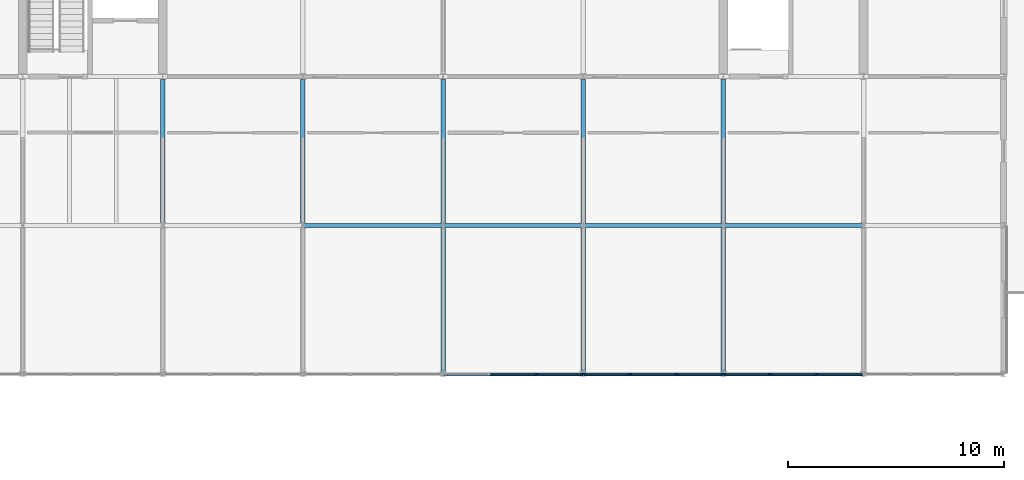
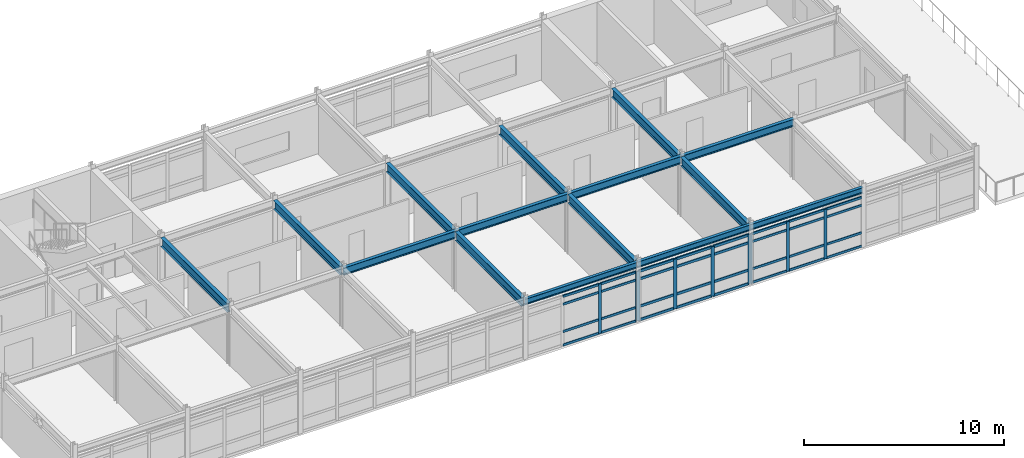
# One storey, part 25 of 57: 41 members, 15 beams, 3 elements without a shape of their own.
"""IFC4 building model written with IfcOpenShell, lengths in metres."""

from ifc_helpers import new_model, si_unit, direction, frame, origin, origin_2d, place, context, subcontext, project, spatial, rectangle, i_section, extrude, material, layer, layer_set, material_profile, profile_set, type_object, element, aggregate, save


model = new_model("IFC4")

# Units and contexts
model_context = context("Model", 3, precision=1e-05, world=origin(), true_north=direction((0.0, 1.0)))
body_context = subcontext(model_context, "Body", "Model", "MODEL_VIEW")
ifc_project = project(units=[si_unit("LENGTHUNIT", "METRE"), si_unit("AREAUNIT", "SQUARE_METRE"), si_unit("VOLUMEUNIT", "CUBIC_METRE"), si_unit("PLANEANGLEUNIT", "RADIAN"), si_unit("MASSUNIT", "GRAM", prefix="KILO")], contexts=[model_context])

# Site, building, storey
site_placement = place(None, origin())
site = spatial("IfcSite", under=ifc_project, at=site_placement, CompositionType="ELEMENT")
building_placement = place(site_placement, origin())
building = spatial("IfcBuilding", under=site, at=building_placement, Name="Trelmorton Wharf Fire Station", CompositionType="ELEMENT")
storey_placement = place(building_placement, frame((0.0, 0.0, 13.5)))
storey = spatial("IfcBuildingStorey", under=building, at=storey_placement, Name="L03", CompositionType="ELEMENT", Elevation=13.5)

# Beams
ifc_material_1 = material(Name="Steel Grade 350", Category="steel")
ifc_material_profile_1 = material_profile(ifc_material_1, i_section(OverallWidth=0.18994140625, OverallDepth=0.45703125, WebThickness=0.009033203125, FlangeThickness=0.014404296875, FilletRadius=0.011474609375, at=origin_2d()), Name="460UB74.6")
ifc_profile_set_1 = profile_set([ifc_material_profile_1], Name="Steel Grade 350")
beam_type_1 = type_object("IfcBeamType", Name="BM_460UB75", PredefinedType="BEAM", material=ifc_profile_set_1)
for number, where, z_axis, x_axis, name in (
    (1, (123.50390625, 67.199951171875, 3.401611328125), (1.0, 0.0, 0.0), (0.0, 1.0, 0.0), "BM-L03-0937"),
    (2, (130.00390625, 67.199951171875, 3.401611328125), (1.0, 0.0, 0.0), (0.0, 1.0, 0.0), "BM-L03-0938"),
    (3, (136.50390625, 67.199951171875, 3.401611328125), (1.0, 0.0, 0.0), (0.0, 1.0, 0.0), "BM-L03-0939"),
    (4, (143.00390625, 67.199951171875, 3.401611328125), (1.0, 0.0, 0.0), (0.0, 1.0, 0.0), "BM-L03-0940"),
):
    element("IfcBeam", number, at=place(storey_placement, frame(where, z_axis=z_axis, x_axis=x_axis)), inside=storey, type_object=beam_type_1, Name=name, PredefinedType="BEAM", context=body_context, shape_type="SweptSolid", body=[
        extrude(i_section(OverallWidth=0.18994140625, OverallDepth=0.45703125, WebThickness=0.009033203125, FlangeThickness=0.014404296875, FilletRadius=0.011474609375, at=origin_2d()), origin(), (0.0, 0.0, 1.0), 6.4921875),
    ])
ifc_material_profile_2 = material_profile(ifc_material_1, i_section(OverallWidth=0.208984375, OverallDepth=0.532958984375, WebThickness=0.01025390625, FlangeThickness=0.015625, FilletRadius=0.013916015625, at=origin_2d()), Name="530UB92.4")
ifc_profile_set_2 = profile_set([ifc_material_profile_2], Name="Steel Grade 350")
beam_type_2 = type_object("IfcBeamType", Name="BM_530UB92", PredefinedType="BEAM", material=ifc_profile_set_2)
for number, where, z_axis, x_axis, name in (
    (5, (117.0, 67.325927734375, 3.363525390625), (0.0, 1.0, 0.0), (-1.0, 0.0, 0.0), "BM-L03-0993"),
    (6, (123.5, 67.325927734375, 3.363525390625), (0.0, 1.0, 0.0), (-1.0, 0.0, 0.0), "BM-L03-0999"),
):
    element("IfcBeam", number, at=place(storey_placement, frame(where, z_axis=z_axis, x_axis=x_axis)), inside=storey, type_object=beam_type_2, Name=name, PredefinedType="BEAM", context=body_context, shape_type="SweptSolid", body=[
        extrude(i_section(OverallWidth=0.208984375, OverallDepth=0.532958984375, WebThickness=0.01025390625, FlangeThickness=0.015625, FilletRadius=0.013916015625, at=origin_2d()), origin(), (0.0, 0.0, 1.0), 6.648193359375),
    ])
beam_1_placement = place(storey_placement, frame((130.0, 60.426025390625, 3.363525390625), z_axis=(0.0, 1.0, 0.0), x_axis=(-1.0, 0.0, 0.0)))
element("IfcBeam", 7, at=beam_1_placement, inside=storey, type_object=beam_type_2, Name="BM-L03-1004", PredefinedType="BEAM", context=body_context, shape_type="SweptSolid", body=[
    extrude(i_section(OverallWidth=0.208984375, OverallDepth=0.532958984375, WebThickness=0.01025390625, FlangeThickness=0.015625, FilletRadius=0.013916015625, at=origin_2d()), origin(), (0.0, 0.0, 1.0), 6.64794921875),
])
beam_2_placement = place(storey_placement, frame((130.0, 67.325927734375, 3.363525390625), z_axis=(0.0, 1.0, 0.0), x_axis=(-1.0, 0.0, 0.0)))
element("IfcBeam", 8, at=beam_2_placement, inside=storey, type_object=beam_type_2, Name="BM-L03-1005", PredefinedType="BEAM", context=body_context, shape_type="SweptSolid", body=[
    extrude(i_section(OverallWidth=0.208984375, OverallDepth=0.532958984375, WebThickness=0.01025390625, FlangeThickness=0.015625, FilletRadius=0.013916015625, at=origin_2d()), origin(), (0.0, 0.0, 1.0), 6.648193359375),
])
beam_3_placement = place(storey_placement, frame((136.5, 60.426025390625, 3.363525390625), z_axis=(0.0, 1.0, 0.0), x_axis=(-1.0, 0.0, 0.0)))
element("IfcBeam", 9, at=beam_3_placement, inside=storey, type_object=beam_type_2, Name="BM-L03-1010", PredefinedType="BEAM", context=body_context, shape_type="SweptSolid", body=[
    extrude(i_section(OverallWidth=0.208984375, OverallDepth=0.532958984375, WebThickness=0.01025390625, FlangeThickness=0.015625, FilletRadius=0.013916015625, at=origin_2d()), origin(), (0.0, 0.0, 1.0), 6.64794921875),
])
beam_4_placement = place(storey_placement, frame((136.5, 67.325927734375, 3.363525390625), z_axis=(0.0, 1.0, 0.0), x_axis=(-1.0, 0.0, 0.0)))
element("IfcBeam", 10, at=beam_4_placement, inside=storey, type_object=beam_type_2, Name="BM-L03-1011", PredefinedType="BEAM", context=body_context, shape_type="SweptSolid", body=[
    extrude(i_section(OverallWidth=0.208984375, OverallDepth=0.532958984375, WebThickness=0.01025390625, FlangeThickness=0.015625, FilletRadius=0.013916015625, at=origin_2d()), origin(), (0.0, 0.0, 1.0), 6.648193359375),
])
beam_5_placement = place(storey_placement, frame((143.0, 60.426025390625, 3.363525390625), z_axis=(0.0, 1.0, 0.0), x_axis=(-1.0, 0.0, 0.0)))
element("IfcBeam", 11, at=beam_5_placement, inside=storey, type_object=beam_type_2, Name="BM-L03-1016", PredefinedType="BEAM", context=body_context, shape_type="SweptSolid", body=[
    extrude(i_section(OverallWidth=0.208984375, OverallDepth=0.532958984375, WebThickness=0.01025390625, FlangeThickness=0.015625, FilletRadius=0.013916015625, at=origin_2d()), origin(), (0.0, 0.0, 1.0), 6.64794921875),
])
beam_6_placement = place(storey_placement, frame((143.0, 67.325927734375, 3.363525390625), z_axis=(0.0, 1.0, 0.0), x_axis=(-1.0, 0.0, 0.0)))
element("IfcBeam", 12, at=beam_6_placement, inside=storey, type_object=beam_type_2, Name="BM-L03-1017", PredefinedType="BEAM", context=body_context, shape_type="SweptSolid", body=[
    extrude(i_section(OverallWidth=0.208984375, OverallDepth=0.532958984375, WebThickness=0.01025390625, FlangeThickness=0.015625, FilletRadius=0.013916015625, at=origin_2d()), origin(), (0.0, 0.0, 1.0), 6.648193359375),
])

# Curtain wall, members
ifc_material_2 = material(Name="Anodised aluminium AW-6063", Category="aluminium")
ifc_layer = layer(ifc_material_2, 0.175048828125)
ifc_layer_set = layer_set([ifc_layer], Name="Anodised aluminium AW-6063")
curtain_wall_type = type_object("IfcCurtainWallType", Name="CW_CHIC_B", PredefinedType="USERDEFINED", material=ifc_layer_set)
curtain_wall_1_placement = place(storey_placement, origin())
curtain_wall_1 = element("IfcCurtainWall", 13, at=curtain_wall_1_placement, inside=storey, type_object=curtain_wall_type, Name="CW-V4-L03-147", ObjectType="CHICAGO BAY CURTAIN WALL", PredefinedType="USERDEFINED")
ifc_material_profile_3 = material_profile(ifc_material_2, rectangle(XDim=0.06494140625, YDim=0.159912109375, at=origin_2d()), Name="ALU-65x160")
ifc_profile_set_3 = profile_set([ifc_material_profile_3], Name="Anodised aluminium AW-6063")
member_type_1 = type_object("IfcMemberType", Name="CWM_65x160", PredefinedType="MULLION", material=ifc_profile_set_3)
member_1_placement = place(storey_placement, frame((136.465087890625, 60.300048828125, 0.0), z_axis=(0.0, 0.0, 1.0), x_axis=(0.0, -1.0, 0.0)))
member_1 = element("IfcMember", 14, at=member_1_placement, type_object=member_type_1, Name="CW2 mullion 1", PredefinedType="MULLION", context=body_context, shape_type="SweptSolid", body=[
    extrude(rectangle(XDim=0.06494140625, YDim=0.159912109375, at=origin_2d()), origin(), (0.0, 0.0, 1.0), 3.02001953125),
])
member_2_placement = place(storey_placement, frame((134.331787109375, 60.300048828125, 0.0), z_axis=(0.0, 0.0, 1.0), x_axis=(0.0, -1.0, 0.0)))
member_2 = element("IfcMember", 15, at=member_2_placement, type_object=member_type_1, Name="CW2 mullion 2", PredefinedType="MULLION", context=body_context, shape_type="SweptSolid", body=[
    extrude(rectangle(XDim=0.06494140625, YDim=0.159912109375, at=origin_2d()), origin(), (0.0, 0.0, 1.0), 3.02001953125),
])

curtain_wall_2_placement = place(storey_placement, origin())
curtain_wall_2 = element("IfcCurtainWall", 16, at=curtain_wall_2_placement, inside=storey, type_object=curtain_wall_type, Name="CW-V4-L03-149", ObjectType="CHICAGO BAY CURTAIN WALL", PredefinedType="USERDEFINED")
member_3_placement = place(storey_placement, frame((147.331787109375, 60.300048828125, 0.0), z_axis=(0.0, 0.0, 1.0), x_axis=(0.0, -1.0, 0.0)))
member_3 = element("IfcMember", 17, at=member_3_placement, type_object=member_type_1, Name="CW2 mullion 2", PredefinedType="MULLION", context=body_context, shape_type="SweptSolid", body=[
    extrude(rectangle(XDim=0.06494140625, YDim=0.159912109375, at=origin_2d()), origin(), (0.0, 0.0, 1.0), 3.02001953125),
])
member_4_placement = place(storey_placement, frame((145.168212890625, 60.300048828125, 0.0), z_axis=(0.0, 0.0, 1.0), x_axis=(0.0, -1.0, 0.0)))
member_4 = element("IfcMember", 18, at=member_4_placement, type_object=member_type_1, Name="CW2 mullion 3", PredefinedType="MULLION", context=body_context, shape_type="SweptSolid", body=[
    extrude(rectangle(XDim=0.06494140625, YDim=0.159912109375, at=origin_2d()), origin(), (0.0, 0.0, 1.0), 3.02001953125),
])
member_5_placement = place(storey_placement, frame((143.034912109375, 60.300048828125, 0.0), z_axis=(0.0, 0.0, 1.0), x_axis=(0.0, -1.0, 0.0)))
member_5 = element("IfcMember", 19, at=member_5_placement, type_object=member_type_1, Name="CW2 mullion 4", PredefinedType="MULLION", context=body_context, shape_type="SweptSolid", body=[
    extrude(rectangle(XDim=0.06494140625, YDim=0.159912109375, at=origin_2d()), origin(), (0.0, 0.0, 1.0), 3.02001953125),
])

curtain_wall_3_placement = place(storey_placement, origin())
curtain_wall_3 = element("IfcCurtainWall", 20, at=curtain_wall_3_placement, inside=storey, type_object=curtain_wall_type, Name="CW-V4-L03-148", ObjectType="CHICAGO BAY CURTAIN WALL", PredefinedType="USERDEFINED")
ifc_material_profile_4 = material_profile(ifc_material_2, rectangle(XDim=0.074951171875, YDim=0.175048828125, at=origin_2d()), Name="ALU-75x175")
ifc_profile_set_4 = profile_set([ifc_material_profile_4], Name="Anodised aluminium AW-6063")
member_type_2 = type_object("IfcMemberType", Name="CWM_75x175", PredefinedType="MULLION", material=ifc_profile_set_4)
member_6_placement = place(storey_placement, frame((142.965087890625, 60.300048828125, 0.0), z_axis=(0.0, 0.0, 1.0), x_axis=(0.0, -1.0, 0.0)))
member_6 = element("IfcMember", 21, at=member_6_placement, type_object=member_type_2, Name="CW2 mullion 1", PredefinedType="MULLION", context=body_context, shape_type="SweptSolid", body=[
    extrude(rectangle(XDim=0.074951171875, YDim=0.175048828125, at=origin_2d()), origin(), (0.0, 0.0, 1.0), 3.02001953125),
])
member_7_placement = place(storey_placement, frame((140.831787109375, 60.300048828125, 0.0), z_axis=(0.0, 0.0, 1.0), x_axis=(0.0, -1.0, 0.0)))
member_7 = element("IfcMember", 22, at=member_7_placement, type_object=member_type_2, Name="CW2 mullion 2", PredefinedType="MULLION", context=body_context, shape_type="SweptSolid", body=[
    extrude(rectangle(XDim=0.074951171875, YDim=0.175048828125, at=origin_2d()), origin(), (0.0, 0.0, 1.0), 3.02001953125),
])
member_8_placement = place(storey_placement, frame((138.668212890625, 60.300048828125, 0.0), z_axis=(0.0, 0.0, 1.0), x_axis=(0.0, -1.0, 0.0)))
member_8 = element("IfcMember", 23, at=member_8_placement, type_object=member_type_2, Name="CW2 mullion 3", PredefinedType="MULLION", context=body_context, shape_type="SweptSolid", body=[
    extrude(rectangle(XDim=0.074951171875, YDim=0.175048828125, at=origin_2d()), origin(), (0.0, 0.0, 1.0), 3.02001953125),
])
member_9_placement = place(storey_placement, frame((136.534912109375, 60.300048828125, 0.0), z_axis=(0.0, 0.0, 1.0), x_axis=(0.0, -1.0, 0.0)))
member_9 = element("IfcMember", 24, at=member_9_placement, type_object=member_type_2, Name="CW2 mullion 4", PredefinedType="MULLION", context=body_context, shape_type="SweptSolid", body=[
    extrude(rectangle(XDim=0.074951171875, YDim=0.175048828125, at=origin_2d()), origin(), (0.0, 0.0, 1.0), 3.02001953125),
])

# Member
ifc_material_profile_5 = material_profile(ifc_material_2, rectangle(XDim=0.06494140625, YDim=0.139892578125, at=origin_2d()), Name="ALU-65x140")
ifc_profile_set_5 = profile_set([ifc_material_profile_5], Name="Anodised aluminium AW-6063")
member_type_3 = type_object("IfcMemberType", Name="CWT_65x140", PredefinedType="USERDEFINED", material=ifc_profile_set_5)
member_10_placement = place(storey_placement, frame((136.43505859375, 60.300048828125, 0.030029296875), z_axis=(-1.0, 0.0, 0.0), x_axis=(0.0, -1.0, 0.0)))
member_10 = element("IfcMember", 25, at=member_10_placement, type_object=member_type_3, Name="CW2 transom 1.1", ObjectType="TRANSOM", PredefinedType="USERDEFINED", context=body_context, shape_type="SweptSolid", body=[
    extrude(rectangle(XDim=0.06494140625, YDim=0.139892578125, at=origin_2d()), origin(), (0.0, 0.0, 1.0), 2.073486328125),
])

member_11_placement = place(storey_placement, frame((136.43505859375, 60.300048828125, 0.85009765625), z_axis=(-1.0, 0.0, 0.0), x_axis=(0.0, -1.0, 0.0)))
member_11 = element("IfcMember", 26, at=member_11_placement, type_object=member_type_3, Name="CW2 transom 1.2", ObjectType="TRANSOM", PredefinedType="USERDEFINED", context=body_context, shape_type="SweptSolid", body=[
    extrude(rectangle(XDim=0.06494140625, YDim=0.139892578125, at=origin_2d()), origin(), (0.0, 0.0, 1.0), 2.073486328125),
])

member_12_placement = place(storey_placement, frame((136.43505859375, 60.300048828125, 2.52001953125), z_axis=(-1.0, 0.0, 0.0), x_axis=(0.0, -1.0, 0.0)))
member_12 = element("IfcMember", 27, at=member_12_placement, type_object=member_type_3, Name="CW2 transom 1.3", ObjectType="TRANSOM", PredefinedType="USERDEFINED", context=body_context, shape_type="SweptSolid", body=[
    extrude(rectangle(XDim=0.06494140625, YDim=0.139892578125, at=origin_2d()), origin(), (0.0, 0.0, 1.0), 2.073486328125),
])

member_13_placement = place(storey_placement, frame((136.43505859375, 60.300048828125, 2.989990234375), z_axis=(-1.0, 0.0, 0.0), x_axis=(0.0, -1.0, 0.0)))
member_13 = element("IfcMember", 28, at=member_13_placement, type_object=member_type_3, Name="CW2 transom 1.4", ObjectType="TRANSOM", PredefinedType="USERDEFINED", context=body_context, shape_type="SweptSolid", body=[
    extrude(rectangle(XDim=0.06494140625, YDim=0.139892578125, at=origin_2d()), origin(), (0.0, 0.0, 1.0), 2.073486328125),
])

member_14_placement = place(storey_placement, frame((134.3017578125, 60.300048828125, 0.030029296875), z_axis=(-1.0, 0.0, 0.0), x_axis=(0.0, -1.0, 0.0)))
member_14 = element("IfcMember", 29, at=member_14_placement, type_object=member_type_3, Name="CW2 transom 2.1", ObjectType="TRANSOM", PredefinedType="USERDEFINED", context=body_context, shape_type="SweptSolid", body=[
    extrude(rectangle(XDim=0.06494140625, YDim=0.139892578125, at=origin_2d()), origin(), (0.0, 0.0, 1.0), 2.103515625),
])

member_15_placement = place(storey_placement, frame((134.3017578125, 60.300048828125, 0.85009765625), z_axis=(-1.0, 0.0, 0.0), x_axis=(0.0, -1.0, 0.0)))
member_15 = element("IfcMember", 30, at=member_15_placement, type_object=member_type_3, Name="CW2 transom 2.2", ObjectType="TRANSOM", PredefinedType="USERDEFINED", context=body_context, shape_type="SweptSolid", body=[
    extrude(rectangle(XDim=0.06494140625, YDim=0.139892578125, at=origin_2d()), origin(), (0.0, 0.0, 1.0), 2.103515625),
])

member_16_placement = place(storey_placement, frame((134.3017578125, 60.300048828125, 2.52001953125), z_axis=(-1.0, 0.0, 0.0), x_axis=(0.0, -1.0, 0.0)))
member_16 = element("IfcMember", 31, at=member_16_placement, type_object=member_type_3, Name="CW2 transom 2.3", ObjectType="TRANSOM", PredefinedType="USERDEFINED", context=body_context, shape_type="SweptSolid", body=[
    extrude(rectangle(XDim=0.06494140625, YDim=0.139892578125, at=origin_2d()), origin(), (0.0, 0.0, 1.0), 2.103515625),
])

member_17_placement = place(storey_placement, frame((134.3017578125, 60.300048828125, 2.989990234375), z_axis=(-1.0, 0.0, 0.0), x_axis=(0.0, -1.0, 0.0)))
member_17 = element("IfcMember", 32, at=member_17_placement, type_object=member_type_3, Name="CW2 transom 2.4", ObjectType="TRANSOM", PredefinedType="USERDEFINED", context=body_context, shape_type="SweptSolid", body=[
    extrude(rectangle(XDim=0.06494140625, YDim=0.139892578125, at=origin_2d()), origin(), (0.0, 0.0, 1.0), 2.103515625),
])

aggregate(curtain_wall_1, [member_1, member_2, member_10, member_11, member_12, member_13, member_14, member_15, member_16, member_17])

member_18_placement = place(storey_placement, frame((149.43505859375, 60.300048828125, 0.030029296875), z_axis=(-1.0, 0.0, 0.0), x_axis=(0.0, -1.0, 0.0)))
member_18 = element("IfcMember", 33, at=member_18_placement, type_object=member_type_3, Name="CW2 transom 1.1", ObjectType="TRANSOM", PredefinedType="USERDEFINED", context=body_context, shape_type="SweptSolid", body=[
    extrude(rectangle(XDim=0.06494140625, YDim=0.139892578125, at=origin_2d()), origin(), (0.0, 0.0, 1.0), 2.073486328125),
])

member_19_placement = place(storey_placement, frame((149.43505859375, 60.300048828125, 0.85009765625), z_axis=(-1.0, 0.0, 0.0), x_axis=(0.0, -1.0, 0.0)))
member_19 = element("IfcMember", 34, at=member_19_placement, type_object=member_type_3, Name="CW2 transom 1.2", ObjectType="TRANSOM", PredefinedType="USERDEFINED", context=body_context, shape_type="SweptSolid", body=[
    extrude(rectangle(XDim=0.06494140625, YDim=0.139892578125, at=origin_2d()), origin(), (0.0, 0.0, 1.0), 2.073486328125),
])

member_20_placement = place(storey_placement, frame((149.43505859375, 60.300048828125, 2.52001953125), z_axis=(-1.0, 0.0, 0.0), x_axis=(0.0, -1.0, 0.0)))
member_20 = element("IfcMember", 35, at=member_20_placement, type_object=member_type_3, Name="CW2 transom 1.3", ObjectType="TRANSOM", PredefinedType="USERDEFINED", context=body_context, shape_type="SweptSolid", body=[
    extrude(rectangle(XDim=0.06494140625, YDim=0.139892578125, at=origin_2d()), origin(), (0.0, 0.0, 1.0), 2.073486328125),
])

member_21_placement = place(storey_placement, frame((149.43505859375, 60.300048828125, 2.989990234375), z_axis=(-1.0, 0.0, 0.0), x_axis=(0.0, -1.0, 0.0)))
member_21 = element("IfcMember", 36, at=member_21_placement, type_object=member_type_3, Name="CW2 transom 1.4", ObjectType="TRANSOM", PredefinedType="USERDEFINED", context=body_context, shape_type="SweptSolid", body=[
    extrude(rectangle(XDim=0.06494140625, YDim=0.139892578125, at=origin_2d()), origin(), (0.0, 0.0, 1.0), 2.073486328125),
])

member_22_placement = place(storey_placement, frame((147.3017578125, 60.300048828125, 0.030029296875), z_axis=(-1.0, 0.0, 0.0), x_axis=(0.0, -1.0, 0.0)))
member_22 = element("IfcMember", 37, at=member_22_placement, type_object=member_type_3, Name="CW2 transom 2.1", ObjectType="TRANSOM", PredefinedType="USERDEFINED", context=body_context, shape_type="SweptSolid", body=[
    extrude(rectangle(XDim=0.06494140625, YDim=0.139892578125, at=origin_2d()), origin(), (0.0, 0.0, 1.0), 2.103515625),
])

member_23_placement = place(storey_placement, frame((147.3017578125, 60.300048828125, 0.85009765625), z_axis=(-1.0, 0.0, 0.0), x_axis=(0.0, -1.0, 0.0)))
member_23 = element("IfcMember", 38, at=member_23_placement, type_object=member_type_3, Name="CW2 transom 2.2", ObjectType="TRANSOM", PredefinedType="USERDEFINED", context=body_context, shape_type="SweptSolid", body=[
    extrude(rectangle(XDim=0.06494140625, YDim=0.139892578125, at=origin_2d()), origin(), (0.0, 0.0, 1.0), 2.103515625),
])

member_24_placement = place(storey_placement, frame((147.3017578125, 60.300048828125, 2.52001953125), z_axis=(-1.0, 0.0, 0.0), x_axis=(0.0, -1.0, 0.0)))
member_24 = element("IfcMember", 39, at=member_24_placement, type_object=member_type_3, Name="CW2 transom 2.3", ObjectType="TRANSOM", PredefinedType="USERDEFINED", context=body_context, shape_type="SweptSolid", body=[
    extrude(rectangle(XDim=0.06494140625, YDim=0.139892578125, at=origin_2d()), origin(), (0.0, 0.0, 1.0), 2.103515625),
])

member_25_placement = place(storey_placement, frame((147.3017578125, 60.300048828125, 2.989990234375), z_axis=(-1.0, 0.0, 0.0), x_axis=(0.0, -1.0, 0.0)))
member_25 = element("IfcMember", 40, at=member_25_placement, type_object=member_type_3, Name="CW2 transom 2.4", ObjectType="TRANSOM", PredefinedType="USERDEFINED", context=body_context, shape_type="SweptSolid", body=[
    extrude(rectangle(XDim=0.06494140625, YDim=0.139892578125, at=origin_2d()), origin(), (0.0, 0.0, 1.0), 2.103515625),
])

member_26_placement = place(storey_placement, frame((145.138427734375, 60.300048828125, 0.030029296875), z_axis=(-1.0, 0.0, 0.0), x_axis=(0.0, -1.0, 0.0)))
member_26 = element("IfcMember", 41, at=member_26_placement, type_object=member_type_3, Name="CW2 transom 3.1", ObjectType="TRANSOM", PredefinedType="USERDEFINED", context=body_context, shape_type="SweptSolid", body=[
    extrude(rectangle(XDim=0.06494140625, YDim=0.139892578125, at=origin_2d()), origin(), (0.0, 0.0, 1.0), 2.073486328125),
])

member_27_placement = place(storey_placement, frame((145.138427734375, 60.300048828125, 0.85009765625), z_axis=(-1.0, 0.0, 0.0), x_axis=(0.0, -1.0, 0.0)))
member_27 = element("IfcMember", 42, at=member_27_placement, type_object=member_type_3, Name="CW2 transom 3.2", ObjectType="TRANSOM", PredefinedType="USERDEFINED", context=body_context, shape_type="SweptSolid", body=[
    extrude(rectangle(XDim=0.06494140625, YDim=0.139892578125, at=origin_2d()), origin(), (0.0, 0.0, 1.0), 2.073486328125),
])

member_28_placement = place(storey_placement, frame((145.138427734375, 60.300048828125, 2.52001953125), z_axis=(-1.0, 0.0, 0.0), x_axis=(0.0, -1.0, 0.0)))
member_28 = element("IfcMember", 43, at=member_28_placement, type_object=member_type_3, Name="CW2 transom 3.3", ObjectType="TRANSOM", PredefinedType="USERDEFINED", context=body_context, shape_type="SweptSolid", body=[
    extrude(rectangle(XDim=0.06494140625, YDim=0.139892578125, at=origin_2d()), origin(), (0.0, 0.0, 1.0), 2.073486328125),
])

member_29_placement = place(storey_placement, frame((145.138427734375, 60.300048828125, 2.989990234375), z_axis=(-1.0, 0.0, 0.0), x_axis=(0.0, -1.0, 0.0)))
member_29 = element("IfcMember", 44, at=member_29_placement, type_object=member_type_3, Name="CW2 transom 3.4", ObjectType="TRANSOM", PredefinedType="USERDEFINED", context=body_context, shape_type="SweptSolid", body=[
    extrude(rectangle(XDim=0.06494140625, YDim=0.139892578125, at=origin_2d()), origin(), (0.0, 0.0, 1.0), 2.073486328125),
])

aggregate(curtain_wall_2, [member_3, member_4, member_5, member_18, member_19, member_20, member_21, member_22, member_23, member_24, member_25, member_26, member_27, member_28, member_29])

ifc_material_profile_6 = material_profile(ifc_material_2, rectangle(XDim=0.074951171875, YDim=0.155029296875, at=origin_2d()), Name="ALU-75x155")
ifc_profile_set_6 = profile_set([ifc_material_profile_6], Name="Anodised aluminium AW-6063")
member_type_4 = type_object("IfcMemberType", Name="CWT_75x155", PredefinedType="USERDEFINED", material=ifc_profile_set_6)
member_30_placement = place(storey_placement, frame((142.93505859375, 60.300048828125, 0.030029296875), z_axis=(-1.0, 0.0, 0.0), x_axis=(0.0, -1.0, 0.0)))
member_30 = element("IfcMember", 45, at=member_30_placement, type_object=member_type_4, Name="CW2 transom 1.1", ObjectType="TRANSOM", PredefinedType="USERDEFINED", context=body_context, shape_type="SweptSolid", body=[
    extrude(rectangle(XDim=0.074951171875, YDim=0.155029296875, at=origin_2d()), origin(), (0.0, 0.0, 1.0), 2.073486328125),
])

member_31_placement = place(storey_placement, frame((142.93505859375, 60.300048828125, 0.85009765625), z_axis=(-1.0, 0.0, 0.0), x_axis=(0.0, -1.0, 0.0)))
member_31 = element("IfcMember", 46, at=member_31_placement, type_object=member_type_4, Name="CW2 transom 1.2", ObjectType="TRANSOM", PredefinedType="USERDEFINED", context=body_context, shape_type="SweptSolid", body=[
    extrude(rectangle(XDim=0.074951171875, YDim=0.155029296875, at=origin_2d()), origin(), (0.0, 0.0, 1.0), 2.073486328125),
])

member_32_placement = place(storey_placement, frame((142.93505859375, 60.300048828125, 2.52001953125), z_axis=(-1.0, 0.0, 0.0), x_axis=(0.0, -1.0, 0.0)))
member_32 = element("IfcMember", 47, at=member_32_placement, type_object=member_type_4, Name="CW2 transom 1.3", ObjectType="TRANSOM", PredefinedType="USERDEFINED", context=body_context, shape_type="SweptSolid", body=[
    extrude(rectangle(XDim=0.074951171875, YDim=0.155029296875, at=origin_2d()), origin(), (0.0, 0.0, 1.0), 2.073486328125),
])

member_33_placement = place(storey_placement, frame((142.93505859375, 60.300048828125, 2.989990234375), z_axis=(-1.0, 0.0, 0.0), x_axis=(0.0, -1.0, 0.0)))
member_33 = element("IfcMember", 48, at=member_33_placement, type_object=member_type_4, Name="CW2 transom 1.4", ObjectType="TRANSOM", PredefinedType="USERDEFINED", context=body_context, shape_type="SweptSolid", body=[
    extrude(rectangle(XDim=0.074951171875, YDim=0.155029296875, at=origin_2d()), origin(), (0.0, 0.0, 1.0), 2.073486328125),
])

member_34_placement = place(storey_placement, frame((140.8017578125, 60.300048828125, 0.030029296875), z_axis=(-1.0, 0.0, 0.0), x_axis=(0.0, -1.0, 0.0)))
member_34 = element("IfcMember", 49, at=member_34_placement, type_object=member_type_4, Name="CW2 transom 2.1", ObjectType="TRANSOM", PredefinedType="USERDEFINED", context=body_context, shape_type="SweptSolid", body=[
    extrude(rectangle(XDim=0.074951171875, YDim=0.155029296875, at=origin_2d()), origin(), (0.0, 0.0, 1.0), 2.103515625),
])

member_35_placement = place(storey_placement, frame((140.8017578125, 60.300048828125, 0.85009765625), z_axis=(-1.0, 0.0, 0.0), x_axis=(0.0, -1.0, 0.0)))
member_35 = element("IfcMember", 50, at=member_35_placement, type_object=member_type_4, Name="CW2 transom 2.2", ObjectType="TRANSOM", PredefinedType="USERDEFINED", context=body_context, shape_type="SweptSolid", body=[
    extrude(rectangle(XDim=0.074951171875, YDim=0.155029296875, at=origin_2d()), origin(), (0.0, 0.0, 1.0), 2.103515625),
])

member_36_placement = place(storey_placement, frame((140.8017578125, 60.300048828125, 2.52001953125), z_axis=(-1.0, 0.0, 0.0), x_axis=(0.0, -1.0, 0.0)))
member_36 = element("IfcMember", 51, at=member_36_placement, type_object=member_type_4, Name="CW2 transom 2.3", ObjectType="TRANSOM", PredefinedType="USERDEFINED", context=body_context, shape_type="SweptSolid", body=[
    extrude(rectangle(XDim=0.074951171875, YDim=0.155029296875, at=origin_2d()), origin(), (0.0, 0.0, 1.0), 2.103515625),
])

member_37_placement = place(storey_placement, frame((140.8017578125, 60.300048828125, 2.989990234375), z_axis=(-1.0, 0.0, 0.0), x_axis=(0.0, -1.0, 0.0)))
member_37 = element("IfcMember", 52, at=member_37_placement, type_object=member_type_4, Name="CW2 transom 2.4", ObjectType="TRANSOM", PredefinedType="USERDEFINED", context=body_context, shape_type="SweptSolid", body=[
    extrude(rectangle(XDim=0.074951171875, YDim=0.155029296875, at=origin_2d()), origin(), (0.0, 0.0, 1.0), 2.103515625),
])

member_38_placement = place(storey_placement, frame((138.638427734375, 60.300048828125, 0.030029296875), z_axis=(-1.0, 0.0, 0.0), x_axis=(0.0, -1.0, 0.0)))
member_38 = element("IfcMember", 53, at=member_38_placement, type_object=member_type_4, Name="CW2 transom 3.1", ObjectType="TRANSOM", PredefinedType="USERDEFINED", context=body_context, shape_type="SweptSolid", body=[
    extrude(rectangle(XDim=0.074951171875, YDim=0.155029296875, at=origin_2d()), origin(), (0.0, 0.0, 1.0), 2.073486328125),
])

member_39_placement = place(storey_placement, frame((138.638427734375, 60.300048828125, 0.85009765625), z_axis=(-1.0, 0.0, 0.0), x_axis=(0.0, -1.0, 0.0)))
member_39 = element("IfcMember", 54, at=member_39_placement, type_object=member_type_4, Name="CW2 transom 3.2", ObjectType="TRANSOM", PredefinedType="USERDEFINED", context=body_context, shape_type="SweptSolid", body=[
    extrude(rectangle(XDim=0.074951171875, YDim=0.155029296875, at=origin_2d()), origin(), (0.0, 0.0, 1.0), 2.073486328125),
])

member_40_placement = place(storey_placement, frame((138.638427734375, 60.300048828125, 2.52001953125), z_axis=(-1.0, 0.0, 0.0), x_axis=(0.0, -1.0, 0.0)))
member_40 = element("IfcMember", 55, at=member_40_placement, type_object=member_type_4, Name="CW2 transom 3.3", ObjectType="TRANSOM", PredefinedType="USERDEFINED", context=body_context, shape_type="SweptSolid", body=[
    extrude(rectangle(XDim=0.074951171875, YDim=0.155029296875, at=origin_2d()), origin(), (0.0, 0.0, 1.0), 2.073486328125),
])

member_41_placement = place(storey_placement, frame((138.638427734375, 60.300048828125, 2.989990234375), z_axis=(-1.0, 0.0, 0.0), x_axis=(0.0, -1.0, 0.0)))
member_41 = element("IfcMember", 56, at=member_41_placement, type_object=member_type_4, Name="CW2 transom 3.4", ObjectType="TRANSOM", PredefinedType="USERDEFINED", context=body_context, shape_type="SweptSolid", body=[
    extrude(rectangle(XDim=0.074951171875, YDim=0.155029296875, at=origin_2d()), origin(), (0.0, 0.0, 1.0), 2.073486328125),
])

aggregate(curtain_wall_3, [member_6, member_7, member_8, member_9, member_30, member_31, member_32, member_33, member_34, member_35, member_36, member_37, member_38, member_39, member_40, member_41])

# Beams
ifc_material_profile_7 = material_profile(ifc_material_1, i_section(OverallWidth=0.1708984375, OverallDepth=0.35595703125, WebThickness=0.00732421875, FlangeThickness=0.011474609375, FilletRadius=0.011474609375, at=origin_2d()), Name="360UB50.7")
ifc_profile_set_7 = profile_set([ifc_material_profile_7], Name="Steel Grade 350")
beam_type_3 = type_object("IfcBeamType", Name="SP_360UB51", PredefinedType="SPANDREL", material=ifc_profile_set_7)
for number, where, z_axis, x_axis, name in (
    (57, (130.00390625, 60.300048828125, 3.451904296875), (1.0, 0.0, 0.0), (0.0, 1.0, 0.0), "BM-L03-0927"),
    (58, (136.50390625, 60.300048828125, 3.451904296875), (1.0, 0.0, 0.0), (0.0, 1.0, 0.0), "BM-L03-0928"),
    (59, (143.00390625, 60.300048828125, 3.451904296875), (1.0, 0.0, 0.0), (0.0, 1.0, 0.0), "BM-L03-0929"),
):
    element("IfcBeam", number, at=place(storey_placement, frame(where, z_axis=z_axis, x_axis=x_axis)), inside=storey, type_object=beam_type_3, Name=name, PredefinedType="SPANDREL", context=body_context, shape_type="SweptSolid", body=[
        extrude(i_section(OverallWidth=0.1708984375, OverallDepth=0.35595703125, WebThickness=0.00732421875, FlangeThickness=0.011474609375, FilletRadius=0.011474609375, at=origin_2d()), origin(), (0.0, 0.0, 1.0), 6.4921875),
    ])

save(model, "model.ifc")
